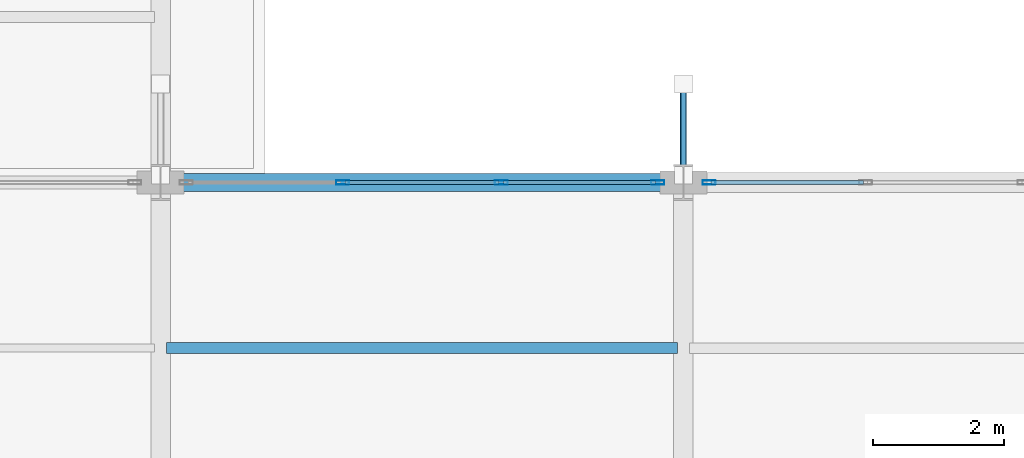
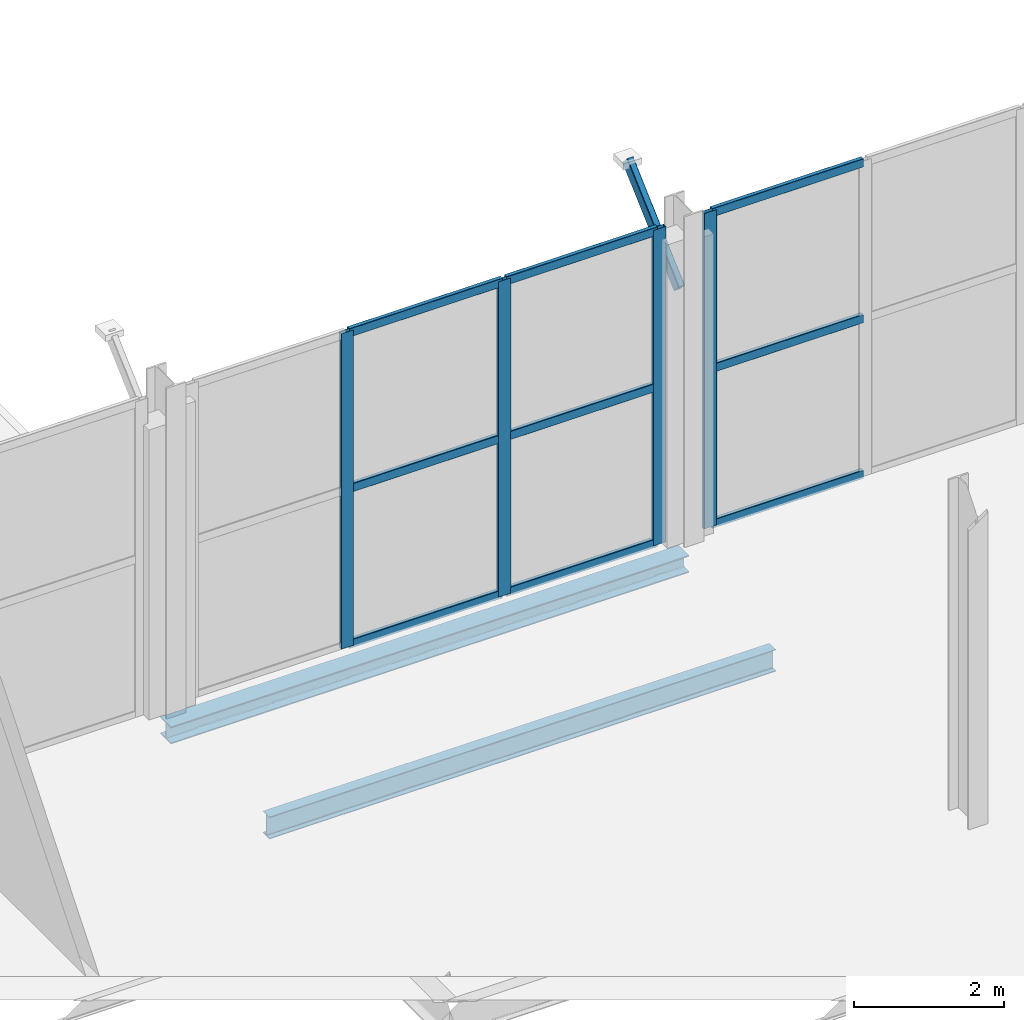
# One storey, part 31 of 147: 14 members, 2 beams, 2 elements without a shape of their own.
"""IFC4 building model written with IfcOpenShell, lengths in metres."""

import ifcopenshell
import ifcopenshell.guid

model = None  # the IFC model being written
_history = None  # IfcOwnerHistory: only IFC2X3 demands one
_inside = {}  # id of a spatial element -> (the spatial element, [elements in it])
_under = {}  # id of a project, library or spatial element -> (it, [spatial elements below it])
_declared = {}  # id of a project -> (the project, [libraries it declares])
_typed = {}  # id of a type object -> (the type object, [elements of that type])
_made_of = {}  # id of a material, layer set ... -> (it, [elements and type objects made of it])


def new_model(schema):
    """Start an empty IFC model of exactly this schema.

    Asked for "IFC4X3", IfcOpenShell would pick the latest addendum, in which some entities
    have other attributes; the version numbers below select the first issue.
    IFC2X3 requires an IfcOwnerHistory on every rooted entity: one is made here for all.
    """
    global model, _history
    if schema == "IFC4X3":
        model = ifcopenshell.file(schema_version=(4, 3, 0, 0))
    else:
        model = ifcopenshell.file(schema=schema)
    _inside.clear()
    _under.clear()
    _declared.clear()
    _typed.clear()
    _made_of.clear()
    _history = None
    if model.schema == "IFC2X3":
        org = make("IfcOrganization", Name="unknown")
        user = make(
            "IfcPersonAndOrganization",
            ThePerson=make("IfcPerson", FamilyName="unknown"),
            TheOrganization=org,
        )
        app = make(
            "IfcApplication",
            ApplicationDeveloper=org,
            Version="unknown",
            ApplicationFullName="unknown",
            ApplicationIdentifier="unknown",
        )
        _history = make(
            "IfcOwnerHistory",
            OwningUser=user,
            OwningApplication=app,
            ChangeAction="ADDED",
            CreationDate=0,
        )
    return model


def make(cls, **values):
    """One entity of the class cls with the attributes given. An attribute that is None is left unset."""
    return model.create_entity(
        cls, **{name: value for name, value in values.items() if value is not None}
    )


def rooted(cls, **values):
    """An entity with a GlobalId (a new one), such as an element, a storey or a relation."""
    return make(cls, GlobalId=ifcopenshell.guid.new(), OwnerHistory=_history, **values)


def si_unit(unit_type, name, prefix=None):
    """IfcSIUnit, for example si_unit("LENGTHUNIT", "METRE", prefix="MILLI")."""
    return make("IfcSIUnit", UnitType=unit_type, Prefix=prefix, Name=name)


def assignment(units):
    """IfcUnitAssignment: the units of a project."""
    return None if units is None else make("IfcUnitAssignment", Units=units)


def point(xyz):
    """IfcCartesianPoint."""
    return None if xyz is None else make("IfcCartesianPoint", Coordinates=xyz)


def direction(xyz):
    """IfcDirection."""
    return None if xyz is None else make("IfcDirection", DirectionRatios=xyz)


def frame(location, z_axis=None, x_axis=None):
    """IfcAxis2Placement3D, a coordinate frame: its origin and axes. An axis left out is left unset."""
    return make(
        "IfcAxis2Placement3D",
        Location=point(location),
        Axis=direction(z_axis),
        RefDirection=direction(x_axis),
    )


def frame_2d(location, x_axis=None):
    """IfcAxis2Placement2D, a coordinate frame in the plane: its origin and x axis."""
    return make(
        "IfcAxis2Placement2D", Location=point(location), RefDirection=direction(x_axis)
    )


def origin():
    """The frame at (0, 0, 0) with its axes left unset."""
    return frame((0.0, 0.0, 0.0))


def origin_2d():
    """The frame at (0, 0) in the plane with its x axis left unset."""
    return frame_2d((0.0, 0.0))


def place(relative_to, where):
    """IfcLocalPlacement: puts the frame where relative to a parent placement (None: the world)."""
    return make(
        "IfcLocalPlacement", PlacementRelTo=relative_to, RelativePlacement=where
    )


def context(
    kind, dimensions, precision=None, world=None, true_north=None, identifier=None
):
    """IfcGeometricRepresentationContext, for example the 3D "Model" context."""
    return make(
        "IfcGeometricRepresentationContext",
        ContextIdentifier=identifier,
        ContextType=kind,
        CoordinateSpaceDimension=dimensions,
        Precision=precision,
        WorldCoordinateSystem=world,
        TrueNorth=true_north,
    )


def subcontext(parent, identifier, kind, view, scale=None):
    """IfcGeometricRepresentationSubContext, for example "Body" below "Model"."""
    return make(
        "IfcGeometricRepresentationSubContext",
        ContextIdentifier=identifier,
        ContextType=kind,
        ParentContext=parent,
        TargetScale=scale,
        TargetView=view,
    )


def project(units=None, contexts=None):
    """IfcProject with its units and contexts."""
    return rooted(
        "IfcProject",
        Name="project",
        RepresentationContexts=contexts,
        UnitsInContext=assignment(units),
    )


def spatial(cls, under=None, at=None, **own):
    """A site, building, storey or space (cls), placed at a placement, below another one or the project."""
    s = rooted(cls, ObjectPlacement=at, **own)
    if under is not None:
        _under.setdefault(under.id(), (under, []))[1].append(s)
    return s


def profile(cls, at=None, kind="AREA", **sizes):
    """A parametric profile (cls). Its sizes go by their IFC names, for example OverallWidth=200.0."""
    return make(cls, ProfileType=kind, Position=at, **sizes)


def hollow_rectangle(**sizes):
    """IfcRectangleHollowProfileDef."""
    return profile("IfcRectangleHollowProfileDef", **sizes)


def i_section(**sizes):
    """IfcIShapeProfileDef."""
    return profile("IfcIShapeProfileDef", **sizes)


def extrude(swept, where, along, depth):
    """IfcExtrudedAreaSolid: the profile swept, set in the frame where, extruded along a direction by depth."""
    return make(
        "IfcExtrudedAreaSolid",
        SweptArea=swept,
        Position=where,
        ExtrudedDirection=direction(along),
        Depth=depth,
    )


def shape(context_of_items, identifier, shape_type, items):
    """IfcShapeRepresentation: the items that make up one representation, for example the "Body"."""
    return make(
        "IfcShapeRepresentation",
        ContextOfItems=context_of_items,
        RepresentationIdentifier=identifier,
        RepresentationType=shape_type,
        Items=items,
    )


def material(Name=None, Category=None):
    """IfcMaterial."""
    return make("IfcMaterial", Name=Name, Category=Category)


def layer(
    of_material, thickness, ventilated=None, Name=None, Category=None, Priority=None
):
    """IfcMaterialLayer: one layer of a wall or slab, of a material (None: an air gap)."""
    return make(
        "IfcMaterialLayer",
        Material=of_material,
        LayerThickness=thickness,
        IsVentilated=ventilated,
        Name=Name,
        Category=Category,
        Priority=Priority,
    )


def layer_set(layers, Name=None):
    """IfcMaterialLayerSet."""
    return make("IfcMaterialLayerSet", MaterialLayers=layers, LayerSetName=Name)


def material_profile(
    of_material, cross_section, Name=None, Category=None, Priority=None
):
    """IfcMaterialProfile: a cross section and its material."""
    return make(
        "IfcMaterialProfile",
        Name=Name,
        Material=of_material,
        Profile=cross_section,
        Priority=Priority,
        Category=Category,
    )


def profile_set(profiles, Name=None, composite=None):
    """IfcMaterialProfileSet."""
    return make(
        "IfcMaterialProfileSet",
        Name=Name,
        MaterialProfiles=profiles,
        CompositeProfile=composite,
    )


def made_of(thing, what):
    """Note that an element or type object is made of a material, layer set ...; save() writes the relation."""
    if what is not None:
        _made_of.setdefault(what.id(), (what, []))[1].append(thing)
    return thing


def type_object(cls, material=None, **own):
    """A type object (cls), such as IfcWallType, which elements share."""
    return made_of(rooted(cls, **own), material)


def element(
    cls,
    number,
    at=None,
    inside=None,
    cuts=None,
    type_object=None,
    material=None,
    context=None,
    identifier="Body",
    shape_type=None,
    held_by="IfcProductDefinitionShape",
    body=None,
    shapes=None,
    **own,
):
    """One element of the class cls, such as IfcWall. Its Tag is "e" and its number.

    at: its placement. inside: the storey or other place that contains it. cuts: it is an
    opening in that element (IfcRelVoidsElement). A single representation is given by context,
    identifier, shape_type and body (its items); several are given by shapes. held_by: the class
    of the entity that holds the representations. save() writes the other relations.
    """
    e = rooted(cls, Tag="e%d" % number, ObjectPlacement=at, **own)
    if body is not None:
        shapes = [shape(context, identifier, shape_type, body)]
    if shapes is not None:
        e.Representation = make(held_by, Representations=shapes)
    if inside is not None:
        _inside.setdefault(inside.id(), (inside, []))[1].append(e)
    if cuts is not None:
        rooted(
            "IfcRelVoidsElement", RelatingBuildingElement=cuts, RelatedOpeningElement=e
        )
    if type_object is not None:
        _typed.setdefault(type_object.id(), (type_object, []))[1].append(e)
    return made_of(e, material)


def aggregate(whole, parts):
    """IfcRelAggregates: a whole, such as a stair, and the parts it consists of."""
    return rooted("IfcRelAggregates", RelatingObject=whole, RelatedObjects=parts)


def save(model, path):
    """Write the relations noted so far, then the file.

    IfcRelAggregates (storeys below a building ...), IfcRelContainedInSpatialStructure (elements
    in a storey), IfcRelDefinesByType, IfcRelAssociatesMaterial and IfcRelDeclares: one each for
    every whole, place, type object, material and project.
    """
    for whole, parts in _under.values():
        aggregate(whole, parts)
    for where, things in _inside.values():
        rooted(
            "IfcRelContainedInSpatialStructure",
            RelatedElements=things,
            RelatingStructure=where,
        )
    for kind, things in _typed.values():
        rooted("IfcRelDefinesByType", RelatedObjects=things, RelatingType=kind)
    for what, things in _made_of.values():
        rooted("IfcRelAssociatesMaterial", RelatedObjects=things, RelatingMaterial=what)
    for by, libraries in _declared.values():
        rooted("IfcRelDeclares", RelatingContext=by, RelatedDefinitions=libraries)
    model.write(path)


model = new_model("IFC4")

# Units and contexts
model_context = context("Model", 3, precision=1e-05, world=origin(), true_north=direction((0.0, 1.0)))
body_context = subcontext(model_context, "Body", "Model", "MODEL_VIEW")
ifc_project = project(units=[si_unit("LENGTHUNIT", "METRE"), si_unit("AREAUNIT", "SQUARE_METRE"), si_unit("VOLUMEUNIT", "CUBIC_METRE"), si_unit("PLANEANGLEUNIT", "RADIAN"), si_unit("MASSUNIT", "GRAM", prefix="KILO")], contexts=[model_context])

# Site, building, storey
site_placement = place(None, origin())
site = spatial("IfcSite", under=ifc_project, at=site_placement, CompositionType="ELEMENT")
building_placement = place(site_placement, origin())
building = spatial("IfcBuilding", under=site, at=building_placement, Name="Vekula Escarpment Museum", CompositionType="ELEMENT")
storey_placement = place(building_placement, frame((0.0, 0.0, 7.800048828125)))
storey = spatial("IfcBuildingStorey", under=building, at=storey_placement, Name="L02", CompositionType="ELEMENT", Elevation=7.800048828125)

# Beams
ifc_material_1 = material(Name="Steel S355", Category="steel")
ifc_material_profile_1 = material_profile(ifc_material_1, i_section(OverallWidth=0.280029296875, OverallDepth=0.280029296875, WebThickness=0.010498046875, FlangeThickness=0.01806640625, FilletRadius=0.02392578125, at=origin_2d()), Name="HEB 280")
ifc_profile_set_1 = profile_set([ifc_material_profile_1], Name="Steel S355")
beam_type_1 = type_object("IfcBeamType", Name="BM-GIRD-HEB280", PredefinedType="BEAM", material=ifc_profile_set_1)
beam_1_placement = place(storey_placement, frame((102.0, 15.199951171875, -0.400146484375), z_axis=(1.0, 0.0, 0.0), x_axis=(0.0, 1.0, 0.0)))
element("IfcBeam", 1, at=beam_1_placement, inside=storey, type_object=beam_type_1, Name="Beam X L02 0820", PredefinedType="BEAM", context=body_context, shape_type="SweptSolid", body=[
    extrude(i_section(OverallWidth=0.280029296875, OverallDepth=0.280029296875, WebThickness=0.010498046875, FlangeThickness=0.01806640625, FilletRadius=0.02392578125, at=origin_2d()), origin(), (0.0, 0.0, 1.0), 8.0),
])
ifc_material_2 = material(Name="Steel S355", Category="steel")
ifc_material_profile_2 = material_profile(ifc_material_2, i_section(OverallWidth=0.169921875, OverallDepth=0.360107421875, WebThickness=0.008056640625, FlangeThickness=0.0126953125, FilletRadius=0.01806640625, at=origin_2d()), Name="IPE 360")
ifc_profile_set_2 = profile_set([ifc_material_profile_2], Name="Steel S355")
beam_type_2 = type_object("IfcBeamType", Name="BM-JST-IPE360", PredefinedType="JOIST", material=ifc_profile_set_2)
beam_2_placement = place(storey_placement, frame((102.090087890625, 12.666748046875, -0.43994140625), z_axis=(1.0, 0.0, 0.0), x_axis=(0.0, 1.0, 0.0)))
element("IfcBeam", 2, at=beam_2_placement, inside=storey, type_object=beam_type_2, Name="Secondary Joist L02 0795", PredefinedType="JOIST", context=body_context, shape_type="SweptSolid", body=[
    extrude(i_section(OverallWidth=0.169921875, OverallDepth=0.360107421875, WebThickness=0.008056640625, FlangeThickness=0.0126953125, FilletRadius=0.01806640625, at=origin_2d()), origin(), (0.0, 0.0, 1.0), 7.81982421875),
])

# Curtain wall, member
ifc_material_3 = material(Name="Aluminium thermally broken framing", Category="aluminium")
ifc_layer_1 = layer(ifc_material_3, 0.159912109375)
ifc_layer_set_1 = layer_set([ifc_layer_1], Name="Aluminium thermally broken framing")
curtain_wall_type_1 = type_object("IfcCurtainWallType", Name="CW-SYS-05", PredefinedType="NOTDEFINED", material=ifc_layer_set_1)
curtain_wall_1_placement = place(storey_placement, origin())
curtain_wall_1 = element("IfcCurtainWall", 3, at=curtain_wall_1_placement, inside=storey, type_object=curtain_wall_type_1, Name="Curtain Wall CW-L02-095", PredefinedType="NOTDEFINED")
ifc_material_4 = material(Name="Aluminium anodized mullion", Category="aluminium")
ifc_material_profile_3 = material_profile(ifc_material_4, hollow_rectangle(XDim=0.06494140625, YDim=0.199951171875, WallThickness=0.00390625, InnerFilletRadius=0.00390625, OuterFilletRadius=0.008056640625, at=origin_2d()), Name="ALU 200x65x4")
ifc_profile_set_3 = profile_set([ifc_material_profile_3], Name="Aluminium anodized mullion")
member_type_1 = type_object("IfcMemberType", Name="CW-MUL-200", PredefinedType="MULLION", material=ifc_profile_set_3)
member_1_placement = place(storey_placement, frame((110.392578125, 15.199951171875, 0.0), z_axis=(0.0, 0.0, 1.0), x_axis=(0.0, -1.0, 0.0)))
member_1 = element("IfcMember", 4, at=member_1_placement, type_object=member_type_1, Name="CW-05 mullion 4", PredefinedType="MULLION", context=body_context, shape_type="SweptSolid", body=[
    extrude(hollow_rectangle(XDim=0.06494140625, YDim=0.199951171875, WallThickness=0.00390625, InnerFilletRadius=0.00390625, OuterFilletRadius=0.008056640625, at=origin_2d()), origin(), (0.0, 0.0, 1.0), 5.14990234375),
])

# Curtain wall, members
ifc_material_5 = material(Name="Aluminium thermally broken framing", Category="aluminium")
ifc_layer_2 = layer(ifc_material_5, 0.139892578125)
ifc_layer_set_2 = layer_set([ifc_layer_2], Name="Aluminium thermally broken framing")
curtain_wall_type_2 = type_object("IfcCurtainWallType", Name="CW-SYS-06", PredefinedType="NOTDEFINED", material=ifc_layer_set_2)
curtain_wall_2_placement = place(storey_placement, origin())
curtain_wall_2 = element("IfcCurtainWall", 5, at=curtain_wall_2_placement, inside=storey, type_object=curtain_wall_type_2, Name="Curtain Wall CW-L02-096", PredefinedType="NOTDEFINED")
member_2_placement = place(storey_placement, frame((109.607421875, 15.199951171875, 0.0), z_axis=(0.0, 0.0, 1.0), x_axis=(0.0, -1.0, 0.0)))
member_2 = element("IfcMember", 6, at=member_2_placement, type_object=member_type_1, Name="CW-06 mullion 1", PredefinedType="MULLION", context=body_context, shape_type="SweptSolid", body=[
    extrude(hollow_rectangle(XDim=0.06494140625, YDim=0.199951171875, WallThickness=0.00390625, InnerFilletRadius=0.00390625, OuterFilletRadius=0.008056640625, at=origin_2d()), origin(), (0.0, 0.0, 1.0), 5.14990234375),
])
member_3_placement = place(storey_placement, frame((107.21337890625, 15.199951171875, 0.0), z_axis=(0.0, 0.0, 1.0), x_axis=(0.0, -1.0, 0.0)))
member_3 = element("IfcMember", 7, at=member_3_placement, type_object=member_type_1, Name="CW-06 mullion 2", PredefinedType="MULLION", context=body_context, shape_type="SweptSolid", body=[
    extrude(hollow_rectangle(XDim=0.06494140625, YDim=0.199951171875, WallThickness=0.00390625, InnerFilletRadius=0.00390625, OuterFilletRadius=0.008056640625, at=origin_2d()), origin(), (0.0, 0.0, 1.0), 5.14990234375),
])
member_4_placement = place(storey_placement, frame((104.78662109375, 15.199951171875, 0.0), z_axis=(0.0, 0.0, 1.0), x_axis=(0.0, -1.0, 0.0)))
member_4 = element("IfcMember", 8, at=member_4_placement, type_object=member_type_1, Name="CW-06 mullion 3", PredefinedType="MULLION", context=body_context, shape_type="SweptSolid", body=[
    extrude(hollow_rectangle(XDim=0.06494140625, YDim=0.199951171875, WallThickness=0.00390625, InnerFilletRadius=0.00390625, OuterFilletRadius=0.008056640625, at=origin_2d()), origin(), (0.0, 0.0, 1.0), 5.14990234375),
])

# Member
ifc_material_6 = material(Name="Aluminium anodized transom", Category="aluminium")
ifc_material_profile_4 = material_profile(ifc_material_6, hollow_rectangle(XDim=0.06494140625, YDim=0.139892578125, WallThickness=0.00390625, InnerFilletRadius=0.00390625, OuterFilletRadius=0.008056640625, at=origin_2d()), Name="ALU 140x65x4")
ifc_profile_set_4 = profile_set([ifc_material_profile_4], Name="Aluminium anodized transom")
member_type_2 = type_object("IfcMemberType", Name="CW-TRN-140", PredefinedType="USERDEFINED", material=ifc_profile_set_4)
member_5_placement = place(storey_placement, frame((112.754150390625, 15.199951171875, 0.032470703125), z_axis=(-1.0, 0.0, 0.0), x_axis=(0.0, -1.0, 0.0)))
member_5 = element("IfcMember", 9, at=member_5_placement, type_object=member_type_2, Name="CW-05 transom 3.1", ObjectType="TRANSOM", PredefinedType="USERDEFINED", context=body_context, shape_type="SweptSolid", body=[
    extrude(hollow_rectangle(XDim=0.06494140625, YDim=0.139892578125, WallThickness=0.00390625, InnerFilletRadius=0.00390625, OuterFilletRadius=0.008056640625, at=origin_2d()), origin(), (0.0, 0.0, 1.0), 2.3291015625),
])

member_6_placement = place(storey_placement, frame((112.754150390625, 15.199951171875, 2.574951171875), z_axis=(-1.0, 0.0, 0.0), x_axis=(0.0, -1.0, 0.0)))
member_6 = element("IfcMember", 10, at=member_6_placement, type_object=member_type_2, Name="CW-05 transom 3.2", ObjectType="TRANSOM", PredefinedType="USERDEFINED", context=body_context, shape_type="SweptSolid", body=[
    extrude(hollow_rectangle(XDim=0.06494140625, YDim=0.139892578125, WallThickness=0.00390625, InnerFilletRadius=0.00390625, OuterFilletRadius=0.008056640625, at=origin_2d()), origin(), (0.0, 0.0, 1.0), 2.3291015625),
])

member_7_placement = place(storey_placement, frame((112.754150390625, 15.199951171875, 5.117431640625), z_axis=(-1.0, 0.0, 0.0), x_axis=(0.0, -1.0, 0.0)))
member_7 = element("IfcMember", 11, at=member_7_placement, type_object=member_type_2, Name="CW-05 transom 3.3", ObjectType="TRANSOM", PredefinedType="USERDEFINED", context=body_context, shape_type="SweptSolid", body=[
    extrude(hollow_rectangle(XDim=0.06494140625, YDim=0.139892578125, WallThickness=0.00390625, InnerFilletRadius=0.00390625, OuterFilletRadius=0.008056640625, at=origin_2d()), origin(), (0.0, 0.0, 1.0), 2.3291015625),
])

aggregate(curtain_wall_1, [member_1, member_5, member_6, member_7])

member_8_placement = place(storey_placement, frame((109.574951171875, 15.199951171875, 0.032470703125), z_axis=(-1.0, 0.0, 0.0), x_axis=(0.0, -1.0, 0.0)))
member_8 = element("IfcMember", 12, at=member_8_placement, type_object=member_type_2, Name="CW-06 transom 1.1", ObjectType="TRANSOM", PredefinedType="USERDEFINED", context=body_context, shape_type="SweptSolid", body=[
    extrude(hollow_rectangle(XDim=0.06494140625, YDim=0.139892578125, WallThickness=0.00390625, InnerFilletRadius=0.00390625, OuterFilletRadius=0.008056640625, at=origin_2d()), origin(), (0.0, 0.0, 1.0), 2.3291015625),
])

member_9_placement = place(storey_placement, frame((109.574951171875, 15.199951171875, 2.574951171875), z_axis=(-1.0, 0.0, 0.0), x_axis=(0.0, -1.0, 0.0)))
member_9 = element("IfcMember", 13, at=member_9_placement, type_object=member_type_2, Name="CW-06 transom 1.2", ObjectType="TRANSOM", PredefinedType="USERDEFINED", context=body_context, shape_type="SweptSolid", body=[
    extrude(hollow_rectangle(XDim=0.06494140625, YDim=0.139892578125, WallThickness=0.00390625, InnerFilletRadius=0.00390625, OuterFilletRadius=0.008056640625, at=origin_2d()), origin(), (0.0, 0.0, 1.0), 2.3291015625),
])

member_10_placement = place(storey_placement, frame((109.574951171875, 15.199951171875, 5.117431640625), z_axis=(-1.0, 0.0, 0.0), x_axis=(0.0, -1.0, 0.0)))
member_10 = element("IfcMember", 14, at=member_10_placement, type_object=member_type_2, Name="CW-06 transom 1.3", ObjectType="TRANSOM", PredefinedType="USERDEFINED", context=body_context, shape_type="SweptSolid", body=[
    extrude(hollow_rectangle(XDim=0.06494140625, YDim=0.139892578125, WallThickness=0.00390625, InnerFilletRadius=0.00390625, OuterFilletRadius=0.008056640625, at=origin_2d()), origin(), (0.0, 0.0, 1.0), 2.3291015625),
])

member_11_placement = place(storey_placement, frame((107.180908203125, 15.199951171875, 0.032470703125), z_axis=(-1.0, 0.0, 0.0), x_axis=(0.0, -1.0, 0.0)))
member_11 = element("IfcMember", 15, at=member_11_placement, type_object=member_type_2, Name="CW-06 transom 2.1", ObjectType="TRANSOM", PredefinedType="USERDEFINED", context=body_context, shape_type="SweptSolid", body=[
    extrude(hollow_rectangle(XDim=0.06494140625, YDim=0.139892578125, WallThickness=0.00390625, InnerFilletRadius=0.00390625, OuterFilletRadius=0.008056640625, at=origin_2d()), origin(), (0.0, 0.0, 1.0), 2.36181640625),
])

member_12_placement = place(storey_placement, frame((107.180908203125, 15.199951171875, 2.574951171875), z_axis=(-1.0, 0.0, 0.0), x_axis=(0.0, -1.0, 0.0)))
member_12 = element("IfcMember", 16, at=member_12_placement, type_object=member_type_2, Name="CW-06 transom 2.2", ObjectType="TRANSOM", PredefinedType="USERDEFINED", context=body_context, shape_type="SweptSolid", body=[
    extrude(hollow_rectangle(XDim=0.06494140625, YDim=0.139892578125, WallThickness=0.00390625, InnerFilletRadius=0.00390625, OuterFilletRadius=0.008056640625, at=origin_2d()), origin(), (0.0, 0.0, 1.0), 2.36181640625),
])

member_13_placement = place(storey_placement, frame((107.180908203125, 15.199951171875, 5.117431640625), z_axis=(-1.0, 0.0, 0.0), x_axis=(0.0, -1.0, 0.0)))
member_13 = element("IfcMember", 17, at=member_13_placement, type_object=member_type_2, Name="CW-06 transom 2.3", ObjectType="TRANSOM", PredefinedType="USERDEFINED", context=body_context, shape_type="SweptSolid", body=[
    extrude(hollow_rectangle(XDim=0.06494140625, YDim=0.139892578125, WallThickness=0.00390625, InnerFilletRadius=0.00390625, OuterFilletRadius=0.008056640625, at=origin_2d()), origin(), (0.0, 0.0, 1.0), 2.36181640625),
])

aggregate(curtain_wall_2, [member_2, member_3, member_4, member_8, member_9, member_10, member_11, member_12, member_13])

ifc_material_7 = material(Name="Steel S355", Category="steel")
ifc_material_profile_5 = material_profile(ifc_material_7, hollow_rectangle(XDim=0.10009765625, YDim=0.199951171875, WallThickness=0.008056640625, InnerFilletRadius=0.008056640625, OuterFilletRadius=0.01611328125, at=origin_2d()), Name="RHS 200x100x8")
ifc_profile_set_5 = profile_set([ifc_material_profile_5], Name="Steel S355")
member_type_3 = type_object("IfcMemberType", Name="MB-SACAK-BRK", PredefinedType="STRUT", material=ifc_profile_set_5)
member_14_placement = place(storey_placement, frame((110.0, 15.320068359375, 3.949951171875), z_axis=(0.0, 0.738454378718, 0.674303441006), x_axis=(-1.0, 0.0, 0.0)))
element("IfcMember", 18, at=member_14_placement, inside=storey, type_object=member_type_3, Name="Ottoman Sacak Eave Bracket L03-0071", PredefinedType="STRUT", context=body_context, shape_type="SweptSolid", body=[
    extrude(hollow_rectangle(XDim=0.10009765625, YDim=0.199951171875, WallThickness=0.008056640625, InnerFilletRadius=0.008056640625, OuterFilletRadius=0.01611328125, at=origin_2d()), origin(), (0.0, 0.0, 1.0), 1.86865234375),
])

save(model, "model.ifc")
